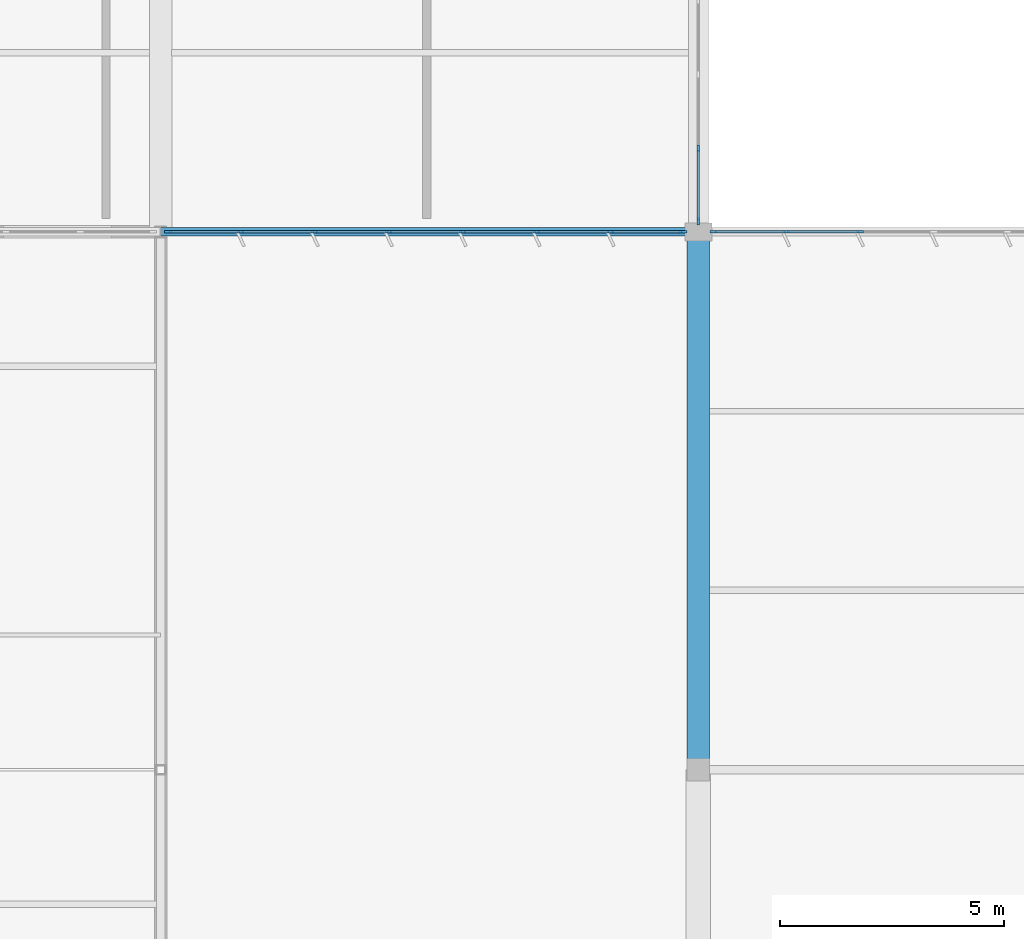
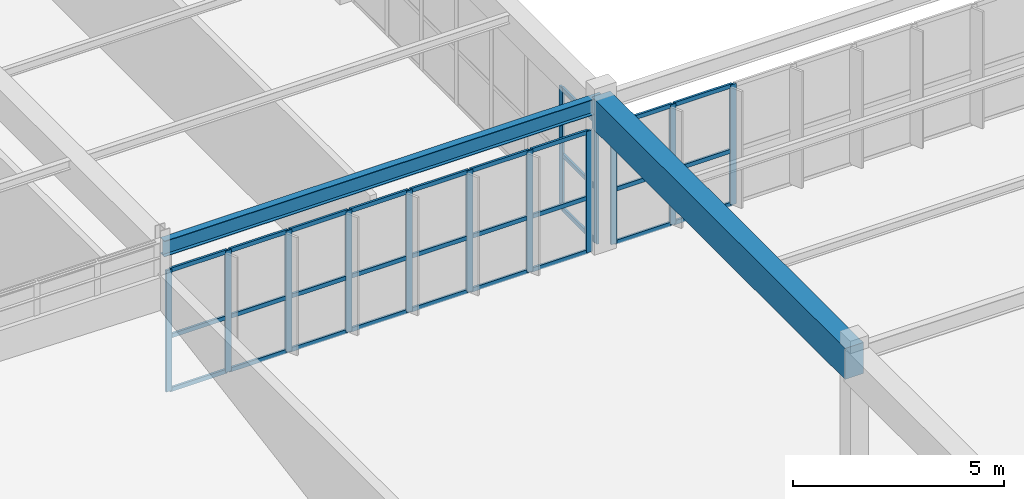
# One storey, part 75 of 226: 43 members, 2 beams, 3 elements without a shape of their own.
"""IFC4 building model written with IfcOpenShell, lengths in metres."""

from ifc_helpers import new_model, si_unit, direction, frame, origin, origin_2d, place, context, subcontext, project, spatial, rectangle, i_section, extrude, material, layer, layer_set, material_profile, profile_set, type_object, element, aggregate, save


model = new_model("IFC4")

# Units and contexts
model_context = context("Model", 3, precision=1e-05, world=origin(), true_north=direction((0.0, 1.0)))
body_context = subcontext(model_context, "Body", "Model", "MODEL_VIEW")
ifc_project = project(units=[si_unit("LENGTHUNIT", "METRE"), si_unit("AREAUNIT", "SQUARE_METRE"), si_unit("VOLUMEUNIT", "CUBIC_METRE"), si_unit("PLANEANGLEUNIT", "RADIAN"), si_unit("MASSUNIT", "GRAM", prefix="KILO")], contexts=[model_context])

# Site, building, storey
site_placement = place(None, origin())
site = spatial("IfcSite", under=ifc_project, at=site_placement, CompositionType="ELEMENT")
building_placement = place(site_placement, origin())
building = spatial("IfcBuilding", under=site, at=building_placement, Name="Tarnwether General Hospital", CompositionType="ELEMENT")
storey_placement = place(building_placement, frame((0.0, 0.0, 4.800048828125)))
storey = spatial("IfcBuildingStorey", under=building, at=storey_placement, Name="L01", CompositionType="ELEMENT", Elevation=4.800048828125)

# Beams
ifc_material_1 = material(Name="Steel Grade 350 (350 MPa)", Category="steel")
ifc_material_profile_1 = material_profile(ifc_material_1, i_section(OverallWidth=0.18994140625, OverallDepth=0.45703125, WebThickness=0.009033203125, FlangeThickness=0.014404296875, at=origin_2d()), Name="460UB74.6")
ifc_profile_set_1 = profile_set([ifc_material_profile_1], Name="Steel Grade 350 (350 MPa)")
beam_type_1 = type_object("IfcBeamType", Name="BM-G09", PredefinedType="BEAM", material=ifc_profile_set_1)
beam_1_placement = place(storey_placement, frame((48.0, 45.60009765625, 4.21142578125), z_axis=(1.0, 0.0, 0.0), x_axis=(0.0, 1.0, 0.0)))
element("IfcBeam", 1, at=beam_1_placement, inside=storey, type_object=beam_type_1, Name="Primary Girder BMG-L01-4800_4560-6000_4560-1103", PredefinedType="BEAM", context=body_context, shape_type="SweptSolid", body=[
    extrude(i_section(OverallWidth=0.18994140625, OverallDepth=0.45703125, WebThickness=0.009033203125, FlangeThickness=0.014404296875, at=origin_2d()), origin(), (0.0, 0.0, 1.0), 12.0),
])
ifc_material_2 = material(Name="Concrete 40 MPa", Category="concrete")
ifc_material_profile_2 = material_profile(ifc_material_2, rectangle(XDim=0.5, YDim=0.89990234375, at=origin_2d()), Name="RC-BM-500x900")
ifc_profile_set_2 = profile_set([ifc_material_profile_2], Name="Concrete 40 MPa")
beam_type_2 = type_object("IfcBeamType", Name="BM-G12", PredefinedType="BEAM", material=ifc_profile_set_2)
beam_2_placement = place(storey_placement, frame((60.0, 33.60009765625, 3.994873046875), z_axis=(0.0, 1.0, 0.0), x_axis=(-1.0, 0.0, 0.0)))
element("IfcBeam", 2, at=beam_2_placement, inside=storey, type_object=beam_type_2, Name="Primary Girder BMG-L01-6000_3360-6000_4560-1123", PredefinedType="BEAM", context=body_context, shape_type="SweptSolid", body=[
    extrude(rectangle(XDim=0.5, YDim=0.89990234375, at=origin_2d()), origin(), (0.0, 0.0, 1.0), 12.0),
])

# Curtain wall, members
ifc_material_3 = material(Name="Anodised aluminium", Category="aluminium")
ifc_layer_1 = layer(ifc_material_3, 0.159912109375)
ifc_layer_set_1 = layer_set([ifc_layer_1], Name="Anodised aluminium")
curtain_wall_type_1 = type_object("IfcCurtainWallType", Name="CW-24", PredefinedType="NOTDEFINED", material=ifc_layer_set_1)
curtain_wall_1_placement = place(storey_placement, origin())
curtain_wall_1 = element("IfcCurtainWall", 3, at=curtain_wall_1_placement, inside=storey, type_object=curtain_wall_type_1, Name="Curtain Wall CWG-L01-718_456-0346", PredefinedType="NOTDEFINED")
ifc_material_4 = material(Name="Anodised aluminium", Category="aluminium")
ifc_material_profile_3 = material_profile(ifc_material_4, rectangle(XDim=0.06005859375, YDim=0.159912109375, at=origin_2d()), Name="ALU-MUL-60x160")
ifc_profile_set_3 = profile_set([ifc_material_profile_3], Name="Anodised aluminium")
member_type_1 = type_object("IfcMemberType", Name="CW-ML1", PredefinedType="MULLION", material=ifc_profile_set_3)
member_1_placement = place(storey_placement, frame((63.602783203125, 45.60009765625, 0.0), z_axis=(0.0, 0.0, 1.0), x_axis=(0.0, -1.0, 0.0)))
member_1 = element("IfcMember", 4, at=member_1_placement, type_object=member_type_1, Name="CW-24 mullion 6", PredefinedType="MULLION", context=body_context, shape_type="SweptSolid", body=[
    extrude(rectangle(XDim=0.06005859375, YDim=0.159912109375, at=origin_2d()), origin(), (0.0, 0.0, 1.0), 3.47998046875),
])
member_2_placement = place(storey_placement, frame((61.955322265625, 45.60009765625, 0.0), z_axis=(0.0, 0.0, 1.0), x_axis=(0.0, -1.0, 0.0)))
member_2 = element("IfcMember", 5, at=member_2_placement, type_object=member_type_1, Name="CW-24 mullion 7", PredefinedType="MULLION", context=body_context, shape_type="SweptSolid", body=[
    extrude(rectangle(XDim=0.06005859375, YDim=0.159912109375, at=origin_2d()), origin(), (0.0, 0.0, 1.0), 3.47998046875),
])
member_3_placement = place(storey_placement, frame((60.337890625, 45.60009765625, 0.0), z_axis=(0.0, 0.0, 1.0), x_axis=(0.0, -1.0, 0.0)))
member_3 = element("IfcMember", 6, at=member_3_placement, type_object=member_type_1, Name="CW-24 mullion 8", PredefinedType="MULLION", context=body_context, shape_type="SweptSolid", body=[
    extrude(rectangle(XDim=0.06005859375, YDim=0.159912109375, at=origin_2d()), origin(), (0.0, 0.0, 1.0), 3.47998046875),
])

curtain_wall_2_placement = place(storey_placement, origin())
curtain_wall_2 = element("IfcCurtainWall", 7, at=curtain_wall_2_placement, inside=storey, type_object=curtain_wall_type_1, Name="Curtain Wall CWG-L01-597_456-0347", PredefinedType="NOTDEFINED")
member_4_placement = place(storey_placement, frame((59.662109375, 45.60009765625, 0.0), z_axis=(0.0, 0.0, 1.0), x_axis=(0.0, -1.0, 0.0)))
member_4 = element("IfcMember", 8, at=member_4_placement, type_object=member_type_1, Name="CW-24 mullion 1", PredefinedType="MULLION", context=body_context, shape_type="SweptSolid", body=[
    extrude(rectangle(XDim=0.06005859375, YDim=0.159912109375, at=origin_2d()), origin(), (0.0, 0.0, 1.0), 3.514892578125),
])
member_5_placement = place(storey_placement, frame((58.041259765625, 45.60009765625, 0.0), z_axis=(0.0, 0.0, 1.0), x_axis=(0.0, -1.0, 0.0)))
member_5 = element("IfcMember", 9, at=member_5_placement, type_object=member_type_1, Name="CW-24 mullion 2", PredefinedType="MULLION", context=body_context, shape_type="SweptSolid", body=[
    extrude(rectangle(XDim=0.06005859375, YDim=0.159912109375, at=origin_2d()), origin(), (0.0, 0.0, 1.0), 3.514892578125),
])
member_6_placement = place(storey_placement, frame((56.390380859375, 45.60009765625, 0.0), z_axis=(0.0, 0.0, 1.0), x_axis=(0.0, -1.0, 0.0)))
member_6 = element("IfcMember", 10, at=member_6_placement, type_object=member_type_1, Name="CW-24 mullion 3", PredefinedType="MULLION", context=body_context, shape_type="SweptSolid", body=[
    extrude(rectangle(XDim=0.06005859375, YDim=0.159912109375, at=origin_2d()), origin(), (0.0, 0.0, 1.0), 3.514892578125),
])
member_7_placement = place(storey_placement, frame((54.739501953125, 45.60009765625, 0.0), z_axis=(0.0, 0.0, 1.0), x_axis=(0.0, -1.0, 0.0)))
member_7 = element("IfcMember", 11, at=member_7_placement, type_object=member_type_1, Name="CW-24 mullion 4", PredefinedType="MULLION", context=body_context, shape_type="SweptSolid", body=[
    extrude(rectangle(XDim=0.06005859375, YDim=0.159912109375, at=origin_2d()), origin(), (0.0, 0.0, 1.0), 3.514892578125),
])
member_8_placement = place(storey_placement, frame((53.088623046875, 45.60009765625, 0.0), z_axis=(0.0, 0.0, 1.0), x_axis=(0.0, -1.0, 0.0)))
member_8 = element("IfcMember", 12, at=member_8_placement, type_object=member_type_1, Name="CW-24 mullion 5", PredefinedType="MULLION", context=body_context, shape_type="SweptSolid", body=[
    extrude(rectangle(XDim=0.06005859375, YDim=0.159912109375, at=origin_2d()), origin(), (0.0, 0.0, 1.0), 3.514892578125),
])
member_9_placement = place(storey_placement, frame((51.437744140625, 45.60009765625, 0.0), z_axis=(0.0, 0.0, 1.0), x_axis=(0.0, -1.0, 0.0)))
member_9 = element("IfcMember", 13, at=member_9_placement, type_object=member_type_1, Name="CW-24 mullion 6", PredefinedType="MULLION", context=body_context, shape_type="SweptSolid", body=[
    extrude(rectangle(XDim=0.06005859375, YDim=0.159912109375, at=origin_2d()), origin(), (0.0, 0.0, 1.0), 3.514892578125),
])
member_10_placement = place(storey_placement, frame((49.786865234375, 45.60009765625, 0.0), z_axis=(0.0, 0.0, 1.0), x_axis=(0.0, -1.0, 0.0)))
member_10 = element("IfcMember", 14, at=member_10_placement, type_object=member_type_1, Name="CW-24 mullion 7", PredefinedType="MULLION", context=body_context, shape_type="SweptSolid", body=[
    extrude(rectangle(XDim=0.06005859375, YDim=0.159912109375, at=origin_2d()), origin(), (0.0, 0.0, 1.0), 3.514892578125),
])
member_11_placement = place(storey_placement, frame((48.166015625, 45.60009765625, 0.0), z_axis=(0.0, 0.0, 1.0), x_axis=(0.0, -1.0, 0.0)))
member_11 = element("IfcMember", 15, at=member_11_placement, type_object=member_type_1, Name="CW-24 mullion 8", PredefinedType="MULLION", context=body_context, shape_type="SweptSolid", body=[
    extrude(rectangle(XDim=0.06005859375, YDim=0.159912109375, at=origin_2d()), origin(), (0.0, 0.0, 1.0), 3.514892578125),
])

ifc_material_5 = material(Name="Anodised aluminium", Category="aluminium")
ifc_layer_2 = layer(ifc_material_5, 0.159912109375)
ifc_layer_set_2 = layer_set([ifc_layer_2], Name="Anodised aluminium")
curtain_wall_type_2 = type_object("IfcCurtainWallType", Name="CW-15", PredefinedType="NOTDEFINED", material=ifc_layer_set_2)
curtain_wall_3_placement = place(storey_placement, origin())
curtain_wall_3 = element("IfcCurtainWall", 16, at=curtain_wall_3_placement, inside=storey, type_object=curtain_wall_type_2, Name="Curtain Wall CWG-L01-600_574-0354", PredefinedType="NOTDEFINED")
member_12_placement = place(storey_placement, frame((60.0, 47.459228515625, 0.0), z_axis=(0.0, 0.0, 1.0), x_axis=(1.0, 0.0, 0.0)))
member_12 = element("IfcMember", 17, at=member_12_placement, type_object=member_type_1, Name="CW-15 mullion 7", PredefinedType="MULLION", context=body_context, shape_type="SweptSolid", body=[
    extrude(rectangle(XDim=0.06005859375, YDim=0.159912109375, at=origin_2d()), origin(), (0.0, 0.0, 1.0), 3.530029296875),
])
member_13_placement = place(storey_placement, frame((60.0, 45.837890625, 0.0), z_axis=(0.0, 0.0, 1.0), x_axis=(1.0, 0.0, 0.0)))
member_13 = element("IfcMember", 18, at=member_13_placement, type_object=member_type_1, Name="CW-15 mullion 8", PredefinedType="MULLION", context=body_context, shape_type="SweptSolid", body=[
    extrude(rectangle(XDim=0.06005859375, YDim=0.159912109375, at=origin_2d()), origin(), (0.0, 0.0, 1.0), 3.530029296875),
])

# Member
ifc_material_6 = material(Name="Anodised aluminium", Category="aluminium")
ifc_material_profile_4 = material_profile(ifc_material_6, rectangle(XDim=0.06005859375, YDim=0.1201171875, at=origin_2d()), Name="ALU-TRN-60x120")
ifc_profile_set_4 = profile_set([ifc_material_profile_4], Name="Anodised aluminium")
member_type_2 = type_object("IfcMemberType", Name="CW-TR1", PredefinedType="USERDEFINED", material=ifc_profile_set_4)
member_14_placement = place(storey_placement, frame((63.57275390625, 45.60009765625, 0.030029296875), z_axis=(-1.0, 0.0, 0.0), x_axis=(0.0, -1.0, 0.0)))
member_14 = element("IfcMember", 19, at=member_14_placement, type_object=member_type_2, Name="CW-24 transom 6.1", ObjectType="TRANSOM", PredefinedType="USERDEFINED", context=body_context, shape_type="SweptSolid", body=[
    extrude(rectangle(XDim=0.06005859375, YDim=0.1201171875, at=origin_2d()), origin(), (0.0, 0.0, 1.0), 1.58740234375),
])

member_15_placement = place(storey_placement, frame((63.57275390625, 45.60009765625, 1.56591796875), z_axis=(-1.0, 0.0, 0.0), x_axis=(0.0, -1.0, 0.0)))
member_15 = element("IfcMember", 20, at=member_15_placement, type_object=member_type_2, Name="CW-24 transom 6.2", ObjectType="TRANSOM", PredefinedType="USERDEFINED", context=body_context, shape_type="SweptSolid", body=[
    extrude(rectangle(XDim=0.06005859375, YDim=0.1201171875, at=origin_2d()), origin(), (0.0, 0.0, 1.0), 1.58740234375),
])

member_16_placement = place(storey_placement, frame((63.57275390625, 45.60009765625, 3.449951171875), z_axis=(-1.0, 0.0, 0.0), x_axis=(0.0, -1.0, 0.0)))
member_16 = element("IfcMember", 21, at=member_16_placement, type_object=member_type_2, Name="CW-24 transom 6.3", ObjectType="TRANSOM", PredefinedType="USERDEFINED", context=body_context, shape_type="SweptSolid", body=[
    extrude(rectangle(XDim=0.06005859375, YDim=0.1201171875, at=origin_2d()), origin(), (0.0, 0.0, 1.0), 1.58740234375),
])

member_17_placement = place(storey_placement, frame((61.925537109375, 45.60009765625, 0.030029296875), z_axis=(-1.0, 0.0, 0.0), x_axis=(0.0, -1.0, 0.0)))
member_17 = element("IfcMember", 22, at=member_17_placement, type_object=member_type_2, Name="CW-24 transom 7.1", ObjectType="TRANSOM", PredefinedType="USERDEFINED", context=body_context, shape_type="SweptSolid", body=[
    extrude(rectangle(XDim=0.06005859375, YDim=0.1201171875, at=origin_2d()), origin(), (0.0, 0.0, 1.0), 1.5576171875),
])

member_18_placement = place(storey_placement, frame((61.925537109375, 45.60009765625, 1.56591796875), z_axis=(-1.0, 0.0, 0.0), x_axis=(0.0, -1.0, 0.0)))
member_18 = element("IfcMember", 23, at=member_18_placement, type_object=member_type_2, Name="CW-24 transom 7.2", ObjectType="TRANSOM", PredefinedType="USERDEFINED", context=body_context, shape_type="SweptSolid", body=[
    extrude(rectangle(XDim=0.06005859375, YDim=0.1201171875, at=origin_2d()), origin(), (0.0, 0.0, 1.0), 1.5576171875),
])

member_19_placement = place(storey_placement, frame((61.925537109375, 45.60009765625, 3.449951171875), z_axis=(-1.0, 0.0, 0.0), x_axis=(0.0, -1.0, 0.0)))
member_19 = element("IfcMember", 24, at=member_19_placement, type_object=member_type_2, Name="CW-24 transom 7.3", ObjectType="TRANSOM", PredefinedType="USERDEFINED", context=body_context, shape_type="SweptSolid", body=[
    extrude(rectangle(XDim=0.06005859375, YDim=0.1201171875, at=origin_2d()), origin(), (0.0, 0.0, 1.0), 1.5576171875),
])

aggregate(curtain_wall_1, [member_1, member_2, member_3, member_14, member_15, member_16, member_17, member_18, member_19])

member_20_placement = place(storey_placement, frame((59.632080078125, 45.60009765625, 0.030029296875), z_axis=(-1.0, 0.0, 0.0), x_axis=(0.0, -1.0, 0.0)))
member_20 = element("IfcMember", 25, at=member_20_placement, type_object=member_type_2, Name="CW-24 transom 1.1", ObjectType="TRANSOM", PredefinedType="USERDEFINED", context=body_context, shape_type="SweptSolid", body=[
    extrude(rectangle(XDim=0.06005859375, YDim=0.1201171875, at=origin_2d()), origin(), (0.0, 0.0, 1.0), 1.56103515625),
])

member_21_placement = place(storey_placement, frame((59.632080078125, 45.60009765625, 1.581787109375), z_axis=(-1.0, 0.0, 0.0), x_axis=(0.0, -1.0, 0.0)))
member_21 = element("IfcMember", 26, at=member_21_placement, type_object=member_type_2, Name="CW-24 transom 1.2", ObjectType="TRANSOM", PredefinedType="USERDEFINED", context=body_context, shape_type="SweptSolid", body=[
    extrude(rectangle(XDim=0.06005859375, YDim=0.1201171875, at=origin_2d()), origin(), (0.0, 0.0, 1.0), 1.56103515625),
])

member_22_placement = place(storey_placement, frame((59.632080078125, 45.60009765625, 3.48486328125), z_axis=(-1.0, 0.0, 0.0), x_axis=(0.0, -1.0, 0.0)))
member_22 = element("IfcMember", 27, at=member_22_placement, type_object=member_type_2, Name="CW-24 transom 1.3", ObjectType="TRANSOM", PredefinedType="USERDEFINED", context=body_context, shape_type="SweptSolid", body=[
    extrude(rectangle(XDim=0.06005859375, YDim=0.1201171875, at=origin_2d()), origin(), (0.0, 0.0, 1.0), 1.56103515625),
])

member_23_placement = place(storey_placement, frame((58.01123046875, 45.60009765625, 0.030029296875), z_axis=(-1.0, 0.0, 0.0), x_axis=(0.0, -1.0, 0.0)))
member_23 = element("IfcMember", 28, at=member_23_placement, type_object=member_type_2, Name="CW-24 transom 2.1", ObjectType="TRANSOM", PredefinedType="USERDEFINED", context=body_context, shape_type="SweptSolid", body=[
    extrude(rectangle(XDim=0.06005859375, YDim=0.1201171875, at=origin_2d()), origin(), (0.0, 0.0, 1.0), 1.591064453125),
])

member_24_placement = place(storey_placement, frame((58.01123046875, 45.60009765625, 1.581787109375), z_axis=(-1.0, 0.0, 0.0), x_axis=(0.0, -1.0, 0.0)))
member_24 = element("IfcMember", 29, at=member_24_placement, type_object=member_type_2, Name="CW-24 transom 2.2", ObjectType="TRANSOM", PredefinedType="USERDEFINED", context=body_context, shape_type="SweptSolid", body=[
    extrude(rectangle(XDim=0.06005859375, YDim=0.1201171875, at=origin_2d()), origin(), (0.0, 0.0, 1.0), 1.591064453125),
])

member_25_placement = place(storey_placement, frame((58.01123046875, 45.60009765625, 3.48486328125), z_axis=(-1.0, 0.0, 0.0), x_axis=(0.0, -1.0, 0.0)))
member_25 = element("IfcMember", 30, at=member_25_placement, type_object=member_type_2, Name="CW-24 transom 2.3", ObjectType="TRANSOM", PredefinedType="USERDEFINED", context=body_context, shape_type="SweptSolid", body=[
    extrude(rectangle(XDim=0.06005859375, YDim=0.1201171875, at=origin_2d()), origin(), (0.0, 0.0, 1.0), 1.591064453125),
])

member_26_placement = place(storey_placement, frame((56.3603515625, 45.60009765625, 0.030029296875), z_axis=(-1.0, 0.0, 0.0), x_axis=(0.0, -1.0, 0.0)))
member_26 = element("IfcMember", 31, at=member_26_placement, type_object=member_type_2, Name="CW-24 transom 3.1", ObjectType="TRANSOM", PredefinedType="USERDEFINED", context=body_context, shape_type="SweptSolid", body=[
    extrude(rectangle(XDim=0.06005859375, YDim=0.1201171875, at=origin_2d()), origin(), (0.0, 0.0, 1.0), 1.5908203125),
])

member_27_placement = place(storey_placement, frame((56.3603515625, 45.60009765625, 1.581787109375), z_axis=(-1.0, 0.0, 0.0), x_axis=(0.0, -1.0, 0.0)))
member_27 = element("IfcMember", 32, at=member_27_placement, type_object=member_type_2, Name="CW-24 transom 3.2", ObjectType="TRANSOM", PredefinedType="USERDEFINED", context=body_context, shape_type="SweptSolid", body=[
    extrude(rectangle(XDim=0.06005859375, YDim=0.1201171875, at=origin_2d()), origin(), (0.0, 0.0, 1.0), 1.5908203125),
])

member_28_placement = place(storey_placement, frame((56.3603515625, 45.60009765625, 3.48486328125), z_axis=(-1.0, 0.0, 0.0), x_axis=(0.0, -1.0, 0.0)))
member_28 = element("IfcMember", 33, at=member_28_placement, type_object=member_type_2, Name="CW-24 transom 3.3", ObjectType="TRANSOM", PredefinedType="USERDEFINED", context=body_context, shape_type="SweptSolid", body=[
    extrude(rectangle(XDim=0.06005859375, YDim=0.1201171875, at=origin_2d()), origin(), (0.0, 0.0, 1.0), 1.5908203125),
])

member_29_placement = place(storey_placement, frame((54.70947265625, 45.60009765625, 0.030029296875), z_axis=(-1.0, 0.0, 0.0), x_axis=(0.0, -1.0, 0.0)))
member_29 = element("IfcMember", 34, at=member_29_placement, type_object=member_type_2, Name="CW-24 transom 4.1", ObjectType="TRANSOM", PredefinedType="USERDEFINED", context=body_context, shape_type="SweptSolid", body=[
    extrude(rectangle(XDim=0.06005859375, YDim=0.1201171875, at=origin_2d()), origin(), (0.0, 0.0, 1.0), 1.5908203125),
])

member_30_placement = place(storey_placement, frame((54.70947265625, 45.60009765625, 1.581787109375), z_axis=(-1.0, 0.0, 0.0), x_axis=(0.0, -1.0, 0.0)))
member_30 = element("IfcMember", 35, at=member_30_placement, type_object=member_type_2, Name="CW-24 transom 4.2", ObjectType="TRANSOM", PredefinedType="USERDEFINED", context=body_context, shape_type="SweptSolid", body=[
    extrude(rectangle(XDim=0.06005859375, YDim=0.1201171875, at=origin_2d()), origin(), (0.0, 0.0, 1.0), 1.5908203125),
])

member_31_placement = place(storey_placement, frame((54.70947265625, 45.60009765625, 3.48486328125), z_axis=(-1.0, 0.0, 0.0), x_axis=(0.0, -1.0, 0.0)))
member_31 = element("IfcMember", 36, at=member_31_placement, type_object=member_type_2, Name="CW-24 transom 4.3", ObjectType="TRANSOM", PredefinedType="USERDEFINED", context=body_context, shape_type="SweptSolid", body=[
    extrude(rectangle(XDim=0.06005859375, YDim=0.1201171875, at=origin_2d()), origin(), (0.0, 0.0, 1.0), 1.5908203125),
])

member_32_placement = place(storey_placement, frame((53.05859375, 45.60009765625, 0.030029296875), z_axis=(-1.0, 0.0, 0.0), x_axis=(0.0, -1.0, 0.0)))
member_32 = element("IfcMember", 37, at=member_32_placement, type_object=member_type_2, Name="CW-24 transom 5.1", ObjectType="TRANSOM", PredefinedType="USERDEFINED", context=body_context, shape_type="SweptSolid", body=[
    extrude(rectangle(XDim=0.06005859375, YDim=0.1201171875, at=origin_2d()), origin(), (0.0, 0.0, 1.0), 1.5908203125),
])

member_33_placement = place(storey_placement, frame((53.05859375, 45.60009765625, 1.581787109375), z_axis=(-1.0, 0.0, 0.0), x_axis=(0.0, -1.0, 0.0)))
member_33 = element("IfcMember", 38, at=member_33_placement, type_object=member_type_2, Name="CW-24 transom 5.2", ObjectType="TRANSOM", PredefinedType="USERDEFINED", context=body_context, shape_type="SweptSolid", body=[
    extrude(rectangle(XDim=0.06005859375, YDim=0.1201171875, at=origin_2d()), origin(), (0.0, 0.0, 1.0), 1.5908203125),
])

member_34_placement = place(storey_placement, frame((53.05859375, 45.60009765625, 3.48486328125), z_axis=(-1.0, 0.0, 0.0), x_axis=(0.0, -1.0, 0.0)))
member_34 = element("IfcMember", 39, at=member_34_placement, type_object=member_type_2, Name="CW-24 transom 5.3", ObjectType="TRANSOM", PredefinedType="USERDEFINED", context=body_context, shape_type="SweptSolid", body=[
    extrude(rectangle(XDim=0.06005859375, YDim=0.1201171875, at=origin_2d()), origin(), (0.0, 0.0, 1.0), 1.5908203125),
])

member_35_placement = place(storey_placement, frame((51.40771484375, 45.60009765625, 0.030029296875), z_axis=(-1.0, 0.0, 0.0), x_axis=(0.0, -1.0, 0.0)))
member_35 = element("IfcMember", 40, at=member_35_placement, type_object=member_type_2, Name="CW-24 transom 6.1", ObjectType="TRANSOM", PredefinedType="USERDEFINED", context=body_context, shape_type="SweptSolid", body=[
    extrude(rectangle(XDim=0.06005859375, YDim=0.1201171875, at=origin_2d()), origin(), (0.0, 0.0, 1.0), 1.5908203125),
])

member_36_placement = place(storey_placement, frame((51.40771484375, 45.60009765625, 1.581787109375), z_axis=(-1.0, 0.0, 0.0), x_axis=(0.0, -1.0, 0.0)))
member_36 = element("IfcMember", 41, at=member_36_placement, type_object=member_type_2, Name="CW-24 transom 6.2", ObjectType="TRANSOM", PredefinedType="USERDEFINED", context=body_context, shape_type="SweptSolid", body=[
    extrude(rectangle(XDim=0.06005859375, YDim=0.1201171875, at=origin_2d()), origin(), (0.0, 0.0, 1.0), 1.5908203125),
])

member_37_placement = place(storey_placement, frame((51.40771484375, 45.60009765625, 3.48486328125), z_axis=(-1.0, 0.0, 0.0), x_axis=(0.0, -1.0, 0.0)))
member_37 = element("IfcMember", 42, at=member_37_placement, type_object=member_type_2, Name="CW-24 transom 6.3", ObjectType="TRANSOM", PredefinedType="USERDEFINED", context=body_context, shape_type="SweptSolid", body=[
    extrude(rectangle(XDim=0.06005859375, YDim=0.1201171875, at=origin_2d()), origin(), (0.0, 0.0, 1.0), 1.5908203125),
])

member_38_placement = place(storey_placement, frame((49.7568359375, 45.60009765625, 0.030029296875), z_axis=(-1.0, 0.0, 0.0), x_axis=(0.0, -1.0, 0.0)))
member_38 = element("IfcMember", 43, at=member_38_placement, type_object=member_type_2, Name="CW-24 transom 7.1", ObjectType="TRANSOM", PredefinedType="USERDEFINED", context=body_context, shape_type="SweptSolid", body=[
    extrude(rectangle(XDim=0.06005859375, YDim=0.1201171875, at=origin_2d()), origin(), (0.0, 0.0, 1.0), 1.560791015625),
])

member_39_placement = place(storey_placement, frame((49.7568359375, 45.60009765625, 1.581787109375), z_axis=(-1.0, 0.0, 0.0), x_axis=(0.0, -1.0, 0.0)))
member_39 = element("IfcMember", 44, at=member_39_placement, type_object=member_type_2, Name="CW-24 transom 7.2", ObjectType="TRANSOM", PredefinedType="USERDEFINED", context=body_context, shape_type="SweptSolid", body=[
    extrude(rectangle(XDim=0.06005859375, YDim=0.1201171875, at=origin_2d()), origin(), (0.0, 0.0, 1.0), 1.560791015625),
])

member_40_placement = place(storey_placement, frame((49.7568359375, 45.60009765625, 3.48486328125), z_axis=(-1.0, 0.0, 0.0), x_axis=(0.0, -1.0, 0.0)))
member_40 = element("IfcMember", 45, at=member_40_placement, type_object=member_type_2, Name="CW-24 transom 7.3", ObjectType="TRANSOM", PredefinedType="USERDEFINED", context=body_context, shape_type="SweptSolid", body=[
    extrude(rectangle(XDim=0.06005859375, YDim=0.1201171875, at=origin_2d()), origin(), (0.0, 0.0, 1.0), 1.560791015625),
])

aggregate(curtain_wall_2, [member_4, member_5, member_6, member_7, member_8, member_9, member_10, member_11, member_20, member_21, member_22, member_23, member_24, member_25, member_26, member_27, member_28, member_29, member_30, member_31, member_32, member_33, member_34, member_35, member_36, member_37, member_38, member_39, member_40])

member_41_placement = place(storey_placement, frame((60.0, 47.42919921875, 0.030029296875), z_axis=(0.0, -1.0, 0.0), x_axis=(1.0, 0.0, 0.0)))
member_41 = element("IfcMember", 46, at=member_41_placement, type_object=member_type_2, Name="CW-15 transom 7.1", ObjectType="TRANSOM", PredefinedType="USERDEFINED", context=body_context, shape_type="SweptSolid", body=[
    extrude(rectangle(XDim=0.06005859375, YDim=0.1201171875, at=origin_2d()), origin(), (0.0, 0.0, 1.0), 1.561279296875),
])

member_42_placement = place(storey_placement, frame((60.0, 47.42919921875, 1.58837890625), z_axis=(0.0, -1.0, 0.0), x_axis=(1.0, 0.0, 0.0)))
member_42 = element("IfcMember", 47, at=member_42_placement, type_object=member_type_2, Name="CW-15 transom 7.2", ObjectType="TRANSOM", PredefinedType="USERDEFINED", context=body_context, shape_type="SweptSolid", body=[
    extrude(rectangle(XDim=0.06005859375, YDim=0.1201171875, at=origin_2d()), origin(), (0.0, 0.0, 1.0), 1.561279296875),
])

member_43_placement = place(storey_placement, frame((60.0, 47.42919921875, 3.5), z_axis=(0.0, -1.0, 0.0), x_axis=(1.0, 0.0, 0.0)))
member_43 = element("IfcMember", 48, at=member_43_placement, type_object=member_type_2, Name="CW-15 transom 7.3", ObjectType="TRANSOM", PredefinedType="USERDEFINED", context=body_context, shape_type="SweptSolid", body=[
    extrude(rectangle(XDim=0.06005859375, YDim=0.1201171875, at=origin_2d()), origin(), (0.0, 0.0, 1.0), 1.561279296875),
])

aggregate(curtain_wall_3, [member_12, member_13, member_41, member_42, member_43])

save(model, "model.ifc")
